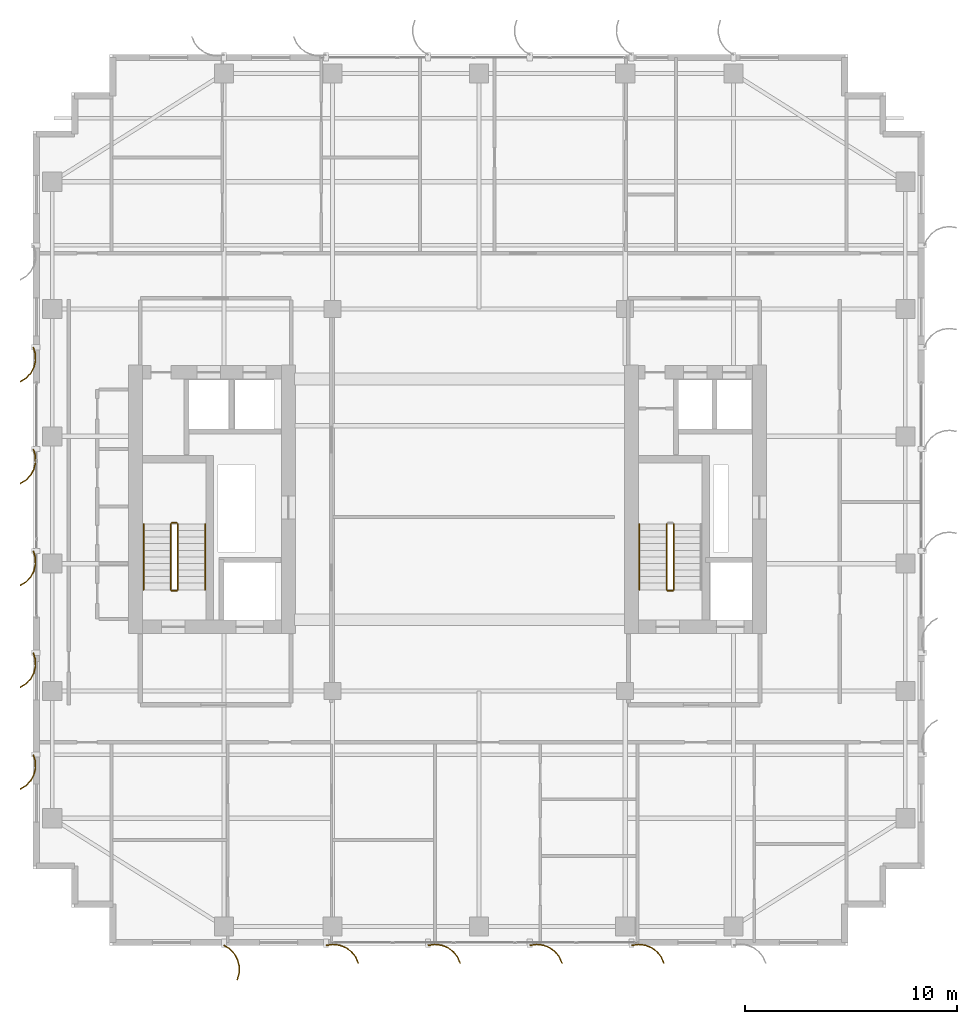
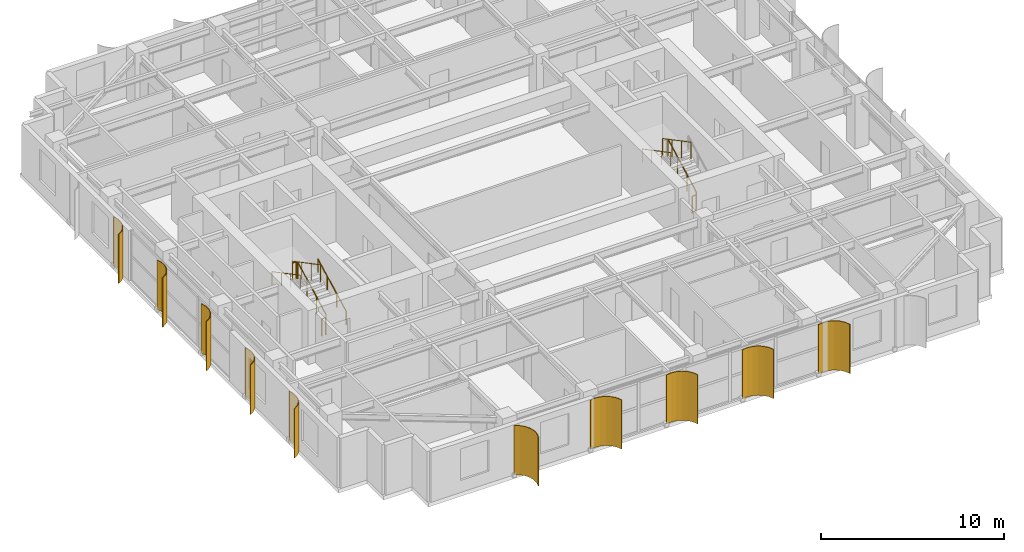
# One storey, part 23 of 25: 10 railings, 10 shading devices.
"""IFC4 building model written with IfcOpenShell, lengths in metres."""

from ifc_helpers import new_model, si_unit, direction, frame, origin, origin_2d, place, context, subcontext, project, spatial, polyline, circle, outline, extrude, source, transform, mapped, material, layer, layer_set, type_object, element, save


model = new_model("IFC4")

# Units and contexts
model_context = context("Model", 3, precision=1e-05, world=origin(), true_north=direction((0.0, 1.0)))
body_context = subcontext(model_context, "Body", "Model", "MODEL_VIEW")
ifc_project = project(units=[si_unit("LENGTHUNIT", "METRE"), si_unit("AREAUNIT", "SQUARE_METRE"), si_unit("VOLUMEUNIT", "CUBIC_METRE"), si_unit("PLANEANGLEUNIT", "RADIAN"), si_unit("MASSUNIT", "GRAM", prefix="KILO")], contexts=[model_context])

# Site, building, storey
site_placement = place(None, origin())
site = spatial("IfcSite", under=ifc_project, at=site_placement, CompositionType="ELEMENT")
building_placement = place(site_placement, origin())
building = spatial("IfcBuilding", under=site, at=building_placement, Name="Khoralis Quay Care Tower", CompositionType="ELEMENT")
storey_placement = place(building_placement, frame((0.0, 0.0, 166.5)))
storey = spatial("IfcBuildingStorey", under=building, at=storey_placement, Name="L43", CompositionType="ELEMENT", Elevation=166.5)

# Railings
ifc_material_1 = material(Name="Brushed stainless steel", Category="steel")
railing_type_1 = type_object("IfcRailingType", Name="RL-GUARD-1150", PredefinedType="GUARDRAIL", material=ifc_material_1)
railing_1_placement = place(storey_placement, frame((9.820068359375, 16.77001953125, 0.16357421875)))
element("IfcRailing", 1, at=railing_1_placement, inside=storey, type_object=railing_type_1, Name="L43 ST-T1 stair guard 1", PredefinedType="GUARDRAIL", context=body_context, shape_type="SweptSolid", body=[
    extrude(circle(Radius=0.02392578125, at=origin_2d()), frame((0.0, 0.0, 1.1259765625), z_axis=(0.0, 0.884348015382, 0.466828220752), x_axis=(-1.0, 0.0, 0.0)), (0.0, 0.0, 1.0), 3.505615234375),
    extrude(circle(Radius=0.02099609375, at=origin_2d()), origin(), (0.0, 0.0, 1.0), 1.101806640625),
    extrude(circle(Radius=0.02099609375, at=origin_2d()), frame((0.0, 1.033447265625, 0.54541015625)), (0.0, 0.0, 1.0), 1.101806640625),
    extrude(circle(Radius=0.02099609375, at=origin_2d()), frame((0.0, 2.066650390625, 1.091064453125)), (0.0, 0.0, 1.0), 1.101806640625),
    extrude(circle(Radius=0.02099609375, at=origin_2d()), frame((0.0, 3.10009765625, 1.636474609375)), (0.0, 0.0, 1.0), 1.101806640625),
])
railing_2_placement = place(storey_placement, frame((9.77001953125, 19.919921875, 1.800048828125)))
element("IfcRailing", 2, at=railing_2_placement, inside=storey, type_object=railing_type_1, Name="L43 ST-T1 stair guard 2", PredefinedType="GUARDRAIL", context=body_context, shape_type="SweptSolid", body=[
    extrude(circle(Radius=0.02392578125, at=origin_2d()), frame((0.0, 0.0, 1.1259765625), z_axis=(-1.0, 0.0, 0.0), x_axis=(0.0, -1.0, 0.0)), (0.0, 0.0, 1.0), 0.239990234375),
    extrude(circle(Radius=0.02099609375, at=origin_2d()), origin(), (0.0, 0.0, 1.0), 1.101806640625),
    extrude(circle(Radius=0.02099609375, at=origin_2d()), frame((-0.239990234375, 0.0, 0.0)), (0.0, 0.0, 1.0), 1.101806640625),
])
railing_3_placement = place(storey_placement, frame((9.47998046875, 19.8701171875, 1.963623046875)))
element("IfcRailing", 3, at=railing_3_placement, inside=storey, type_object=railing_type_1, Name="L43 ST-T1 stair guard 3", PredefinedType="GUARDRAIL", context=body_context, shape_type="SweptSolid", body=[
    extrude(circle(Radius=0.02392578125, at=origin_2d()), frame((0.0, 0.0, 1.1259765625), z_axis=(0.0, -0.884348015382, 0.466828220752), x_axis=(1.0, 0.0, 0.0)), (0.0, 0.0, 1.0), 3.505615234375),
    extrude(circle(Radius=0.02099609375, at=origin_2d()), origin(), (0.0, 0.0, 1.0), 1.101806640625),
    extrude(circle(Radius=0.02099609375, at=origin_2d()), frame((0.0, -1.033447265625, 0.54541015625)), (0.0, 0.0, 1.0), 1.101806640625),
    extrude(circle(Radius=0.02099609375, at=origin_2d()), frame((0.0, -2.066650390625, 1.091064453125)), (0.0, 0.0, 1.0), 1.101806640625),
    extrude(circle(Radius=0.02099609375, at=origin_2d()), frame((0.0, -3.10009765625, 1.636474609375)), (0.0, 0.0, 1.0), 1.101806640625),
])
railing_4_placement = place(storey_placement, frame((9.77001953125, 16.719970703125, 0.0)))
element("IfcRailing", 4, at=railing_4_placement, inside=storey, type_object=railing_type_1, Name="L43 ST-T1 stair guard 4", PredefinedType="GUARDRAIL", context=body_context, shape_type="SweptSolid", body=[
    extrude(circle(Radius=0.02392578125, at=origin_2d()), frame((0.0, 0.0, 1.1259765625), z_axis=(-1.0, 0.0, 0.0), x_axis=(0.0, -1.0, 0.0)), (0.0, 0.0, 1.0), 0.239990234375),
    extrude(circle(Radius=0.02099609375, at=origin_2d()), origin(), (0.0, 0.0, 1.0), 1.101806640625),
    extrude(circle(Radius=0.02099609375, at=origin_2d()), frame((-0.239990234375, 0.0, 0.0)), (0.0, 0.0, 1.0), 1.101806640625),
])
railing_5_placement = place(storey_placement, frame((33.18994140625, 16.77001953125, 0.16357421875)))
element("IfcRailing", 5, at=railing_5_placement, inside=storey, type_object=railing_type_1, Name="L43 ST-T2 stair guard 1", PredefinedType="GUARDRAIL", context=body_context, shape_type="SweptSolid", body=[
    extrude(circle(Radius=0.02392578125, at=origin_2d()), frame((0.0, 0.0, 1.1259765625), z_axis=(0.0, 0.884348015382, 0.466828220752), x_axis=(-1.0, 0.0, 0.0)), (0.0, 0.0, 1.0), 3.505615234375),
    extrude(circle(Radius=0.02099609375, at=origin_2d()), origin(), (0.0, 0.0, 1.0), 1.101806640625),
    extrude(circle(Radius=0.02099609375, at=origin_2d()), frame((0.0, 1.033447265625, 0.54541015625)), (0.0, 0.0, 1.0), 1.101806640625),
    extrude(circle(Radius=0.02099609375, at=origin_2d()), frame((0.0, 2.066650390625, 1.091064453125)), (0.0, 0.0, 1.0), 1.101806640625),
    extrude(circle(Radius=0.02099609375, at=origin_2d()), frame((0.0, 3.10009765625, 1.636474609375)), (0.0, 0.0, 1.0), 1.101806640625),
])
railing_6_placement = place(storey_placement, frame((32.85009765625, 19.8701171875, 1.963623046875)))
element("IfcRailing", 6, at=railing_6_placement, inside=storey, type_object=railing_type_1, Name="L43 ST-T2 stair guard 3", PredefinedType="GUARDRAIL", context=body_context, shape_type="SweptSolid", body=[
    extrude(circle(Radius=0.02392578125, at=origin_2d()), frame((0.0, 0.0, 1.1259765625), z_axis=(0.0, -0.884348015382, 0.466828220752), x_axis=(1.0, 0.0, 0.0)), (0.0, 0.0, 1.0), 3.505615234375),
    extrude(circle(Radius=0.02099609375, at=origin_2d()), origin(), (0.0, 0.0, 1.0), 1.101806640625),
    extrude(circle(Radius=0.02099609375, at=origin_2d()), frame((0.0, -1.033447265625, 0.54541015625)), (0.0, 0.0, 1.0), 1.101806640625),
    extrude(circle(Radius=0.02099609375, at=origin_2d()), frame((0.0, -2.066650390625, 1.091064453125)), (0.0, 0.0, 1.0), 1.101806640625),
    extrude(circle(Radius=0.02099609375, at=origin_2d()), frame((0.0, -3.10009765625, 1.636474609375)), (0.0, 0.0, 1.0), 1.101806640625),
])
railing_7_placement = place(storey_placement, frame((33.139892578125, 16.719970703125, 0.0)))
element("IfcRailing", 7, at=railing_7_placement, inside=storey, type_object=railing_type_1, Name="L43 ST-T2 stair guard 4", PredefinedType="GUARDRAIL", context=body_context, shape_type="SweptSolid", body=[
    extrude(circle(Radius=0.02392578125, at=origin_2d()), frame((0.0, 0.0, 1.1259765625), z_axis=(-1.0, 0.0, 0.0), x_axis=(0.0, -1.0, 0.0)), (0.0, 0.0, 1.0), 0.239990234375),
    extrude(circle(Radius=0.02099609375, at=origin_2d()), origin(), (0.0, 0.0, 1.0), 1.101806640625),
    extrude(circle(Radius=0.02099609375, at=origin_2d()), frame((-0.239990234375, 0.0, 0.0)), (0.0, 0.0, 1.0), 1.101806640625),
])
railing_type_2 = type_object("IfcRailingType", Name="RL-HAND-900", PredefinedType="HANDRAIL", material=ifc_material_1)
railing_8_placement = place(storey_placement, frame((11.10009765625, 16.77001953125, 0.16357421875)))
element("IfcRailing", 8, at=railing_8_placement, inside=storey, type_object=railing_type_2, Name="L43 ST-T1 stair handrail 1", PredefinedType="HANDRAIL", context=body_context, shape_type="SweptSolid", body=[
    extrude(circle(Radius=0.02392578125, at=origin_2d()), frame((0.0, 0.0, 0.8759765625), z_axis=(0.0, 0.884348015382, 0.466828220752), x_axis=(-1.0, 0.0, 0.0)), (0.0, 0.0, 1.0), 3.505615234375),
    extrude(circle(Radius=0.02099609375, at=origin_2d()), origin(), (0.0, 0.0, 1.0), 0.851806640625),
    extrude(circle(Radius=0.02099609375, at=origin_2d()), frame((0.0, 1.033447265625, 0.54541015625)), (0.0, 0.0, 1.0), 0.851806640625),
    extrude(circle(Radius=0.02099609375, at=origin_2d()), frame((0.0, 2.066650390625, 1.091064453125)), (0.0, 0.0, 1.0), 0.851806640625),
    extrude(circle(Radius=0.02099609375, at=origin_2d()), frame((0.0, 3.10009765625, 1.636474609375)), (0.0, 0.0, 1.0), 0.851806640625),
])
for number, where, name in (
    (9, (8.199951171875, 19.8701171875, 1.963623046875), "L43 ST-T1 stair handrail 2"),
    (10, (31.570068359375, 19.8701171875, 1.963623046875), "L43 ST-T2 stair handrail 2"),
):
    element("IfcRailing", number, at=place(storey_placement, frame(where)), inside=storey, type_object=railing_type_2, Name=name, PredefinedType="HANDRAIL", context=body_context, shape_type="SweptSolid", body=[
        extrude(circle(Radius=0.02392578125, at=origin_2d()), frame((0.0, 0.0, 0.8759765625), z_axis=(0.0, -0.884348015382, 0.466828220752), x_axis=(1.0, 0.0, 0.0)), (0.0, 0.0, 1.0), 3.505615234375),
        extrude(circle(Radius=0.02099609375, at=origin_2d()), origin(), (0.0, 0.0, 1.0), 0.851806640625),
        extrude(circle(Radius=0.02099609375, at=origin_2d()), frame((0.0, -1.033447265625, 0.54541015625)), (0.0, 0.0, 1.0), 0.851806640625),
        extrude(circle(Radius=0.02099609375, at=origin_2d()), frame((0.0, -2.066650390625, 1.091064453125)), (0.0, 0.0, 1.0), 0.851806640625),
        extrude(circle(Radius=0.02099609375, at=origin_2d()), frame((0.0, -3.10009765625, 1.636474609375)), (0.0, 0.0, 1.0), 0.851806640625),
    ])

# Shading devices
ifc_material_2 = material(Name="Brushed pale anodised aluminium", Category="aluminium")
ifc_layer = layer(ifc_material_2, 0.044921875)
ifc_layer_set = layer_set([ifc_layer], Name="Brushed pale anodised aluminium")
shading_device_type = type_object("IfcShadingDeviceType", Name="SHD-FIN-1250", PredefinedType="USERDEFINED", material=ifc_layer_set)
shared_shape_1 = source(origin(), body_context, "Body", "SweptSolid", [
    extrude(outline(polyline([(0.0, 0.0), (0.17041015625, 0.2783203125), (0.4072265625, 0.5029296875), (0.694091796875, 0.658447265625), (1.01123046875, 0.734619140625), (1.33740234375, 0.72607421875), (1.650390625, 0.633544921875), (1.632080078125, 0.59228515625), (1.330322265625, 0.681640625), (1.015869140625, 0.68994140625), (0.710205078125, 0.616455078125), (0.43359375, 0.466552734375), (0.20556640625, 0.25), (0.041015625, -0.018310546875), (0.0, 0.0)])), origin(), (0.0, 0.0, 1.0), 3.280029296875),
])
shading_device_placement = place(storey_placement, frame((12.0, 0.030029296875, 0.02001953125), z_axis=(0.0, 0.0, 1.0), x_axis=(0.0, -1.0, 0.0)))
element("IfcShadingDevice", 11, at=shading_device_placement, inside=storey, type_object=shading_device_type, Name="L43 Curved Solar Fin P1E0-01", ObjectType="FIN", PredefinedType="USERDEFINED", context=body_context, shape_type="MappedRepresentation", body=[
    mapped(shared_shape_1, transform((0.0, 0.0, 0.0), scale=1.0)),
])
shared_shape_2 = source(origin(), body_context, "Body", "SweptSolid", [
    extrude(outline(polyline([(0.0, 0.0), (-0.04833984375, 0.32275390625), (-0.01123046875, 0.64697265625), (0.1083984375, 0.950439453125), (0.302490234375, 1.212890625), (0.557861328125, 1.416015625), (0.85693359375, 1.546142578125), (0.869384765625, 1.5029296875), (0.5810546875, 1.37744140625), (0.334716796875, 1.181640625), (0.147705078125, 0.9287109375), (0.032470703125, 0.635986328125), (-0.003173828125, 0.323486328125), (0.043212890625, 0.012451171875), (0.0, 0.0)])), origin(), (0.0, 0.0, 1.0), 3.280029296875),
])
for number, where, z_axis, x_axis, name in (
    (12, (16.800048828125, 0.030029296875, 0.02001953125), (0.0, 0.0, 1.0), (0.0, -1.0, 0.0), "L43 Curved Solar Fin P1E0-02"),
    (13, (21.60009765625, 0.030029296875, 0.02001953125), (0.0, 0.0, 1.0), (0.0, -1.0, 0.0), "L43 Curved Solar Fin P1E0-03"),
    (14, (26.39990234375, 0.030029296875, 0.02001953125), (0.0, 0.0, 1.0), (0.0, -1.0, 0.0), "L43 Curved Solar Fin P1E0-04"),
    (15, (31.199951171875, 0.030029296875, 0.02001953125), (0.0, 0.0, 1.0), (0.0, -1.0, 0.0), "L43 Curved Solar Fin P1E0-05"),
):
    element("IfcShadingDevice", number, at=place(storey_placement, frame(where, z_axis=z_axis, x_axis=x_axis)), inside=storey, type_object=shading_device_type, Name=name, ObjectType="FIN", PredefinedType="USERDEFINED", context=body_context, shape_type="MappedRepresentation", body=[
        mapped(shared_shape_2, transform((0.0, 0.0, 0.0), scale=1.0)),
    ])
shared_shape_3 = source(origin(), body_context, "Body", "SweptSolid", [
    extrude(outline(polyline([(0.0, 0.0), (-0.0927734375, 0.31298828125), (-0.101318359375, 0.63916015625), (-0.025146484375, 0.956298828125), (0.130615234375, 1.2431640625), (0.355224609375, 1.479736328125), (0.633544921875, 1.650390625), (0.65185546875, 1.609130859375), (0.383544921875, 1.44482421875), (0.1669921875, 1.216796875), (0.01708984375, 0.940185546875), (-0.056396484375, 0.63427734375), (-0.04833984375, 0.31982421875), (0.041015625, 0.018310546875), (0.0, 0.0)])), origin(), (0.0, 0.0, 1.0), 3.280029296875),
])
for number, where, z_axis, x_axis, name in (
    (16, (3.030029296875, 28.199951171875, 0.02001953125), (0.0, 0.0, 1.0), (-1.0, 0.0, 0.0), "L43 Curved Solar Fin P1E15-02"),
    (17, (3.030029296875, 23.39990234375, 0.02001953125), (0.0, 0.0, 1.0), (-1.0, 0.0, 0.0), "L43 Curved Solar Fin P1E15-03"),
    (18, (3.030029296875, 18.60009765625, 0.02001953125), (0.0, 0.0, 1.0), (-1.0, 0.0, 0.0), "L43 Curved Solar Fin P1E15-04"),
    (19, (3.030029296875, 13.800048828125, 0.02001953125), (0.0, 0.0, 1.0), (-1.0, 0.0, 0.0), "L43 Curved Solar Fin P1E15-05"),
    (20, (3.030029296875, 9.0, 0.02001953125), (0.0, 0.0, 1.0), (-1.0, 0.0, 0.0), "L43 Curved Solar Fin P1E15-06"),
):
    element("IfcShadingDevice", number, at=place(storey_placement, frame(where, z_axis=z_axis, x_axis=x_axis)), inside=storey, type_object=shading_device_type, Name=name, ObjectType="FIN", PredefinedType="USERDEFINED", context=body_context, shape_type="MappedRepresentation", body=[
        mapped(shared_shape_3, transform((0.0, 0.0, 0.0), scale=1.0)),
    ])

save(model, "model.ifc")
